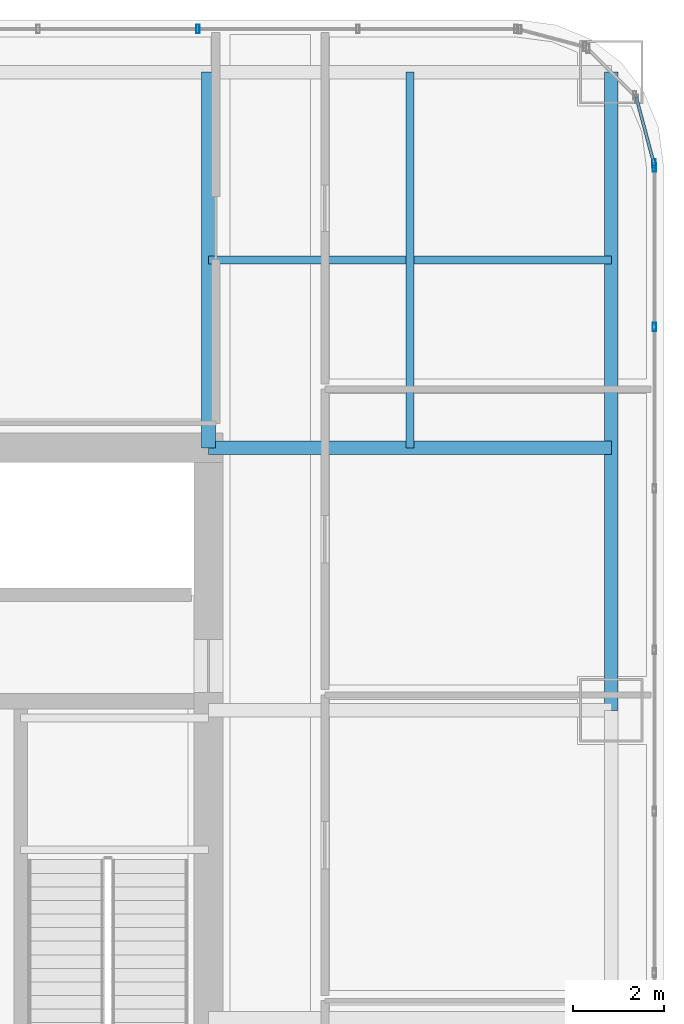
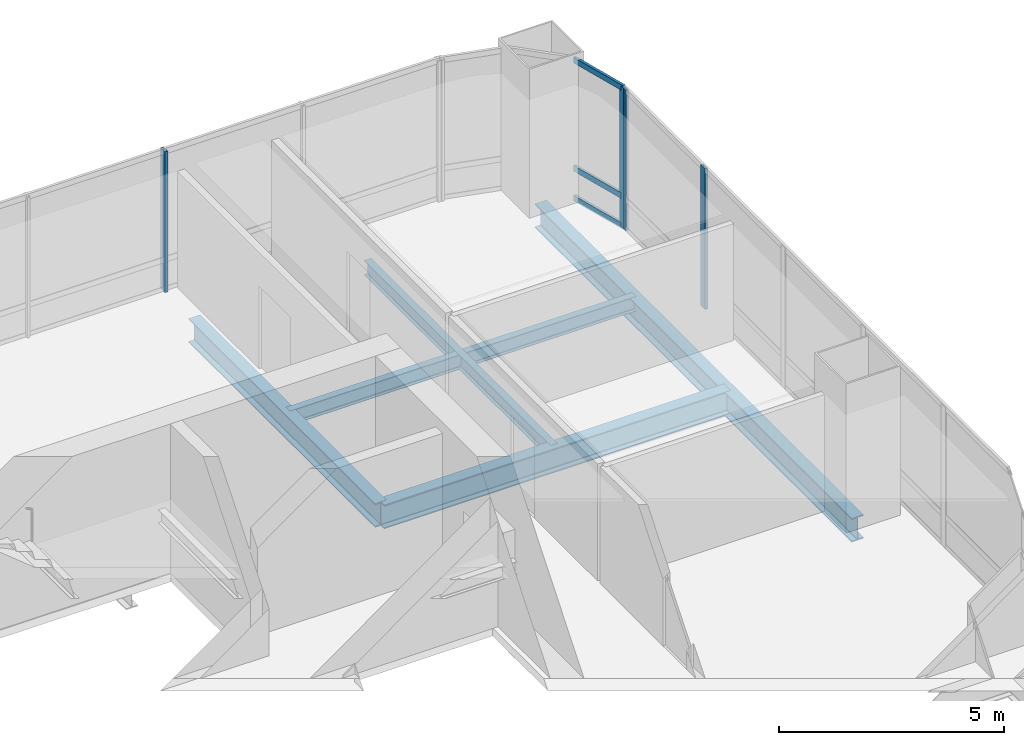
# One storey, part 25 of 37: 7 members, 5 beams, 3 elements without a shape of their own.
"""IFC4 building model written with IfcOpenShell, lengths in metres."""

from ifc_helpers import new_model, si_unit, direction, frame, origin, origin_2d, place, context, subcontext, project, spatial, hollow_rectangle, i_section, extrude, material, material_profile, profile_set, type_object, element, aggregate, save


model = new_model("IFC4")

# Units and contexts
model_context = context("Model", 3, precision=1e-05, world=origin(), true_north=direction((0.0, 1.0)))
body_context = subcontext(model_context, "Body", "Model", "MODEL_VIEW")
ifc_project = project(units=[si_unit("LENGTHUNIT", "METRE"), si_unit("AREAUNIT", "SQUARE_METRE"), si_unit("VOLUMEUNIT", "CUBIC_METRE"), si_unit("PLANEANGLEUNIT", "RADIAN"), si_unit("MASSUNIT", "GRAM", prefix="KILO")], contexts=[model_context])

# Site, building, storey
site_placement = place(None, origin())
site = spatial("IfcSite", under=ifc_project, at=site_placement, CompositionType="ELEMENT")
building_placement = place(site_placement, origin())
building = spatial("IfcBuilding", under=site, at=building_placement, Name="Punatoya Terracotta Tower", CompositionType="ELEMENT")
storey_placement = place(building_placement, frame((0.0, 0.0, 192.449951171875)))
storey = spatial("IfcBuildingStorey", under=building, at=storey_placement, Name="L45", CompositionType="ELEMENT", Elevation=192.449951171875)

# Beams
ifc_material_1 = material(Name="Steel S355", Category="steel")
ifc_material_profile_1 = material_profile(ifc_material_1, i_section(OverallWidth=0.300048828125, OverallDepth=0.64990234375, WebThickness=0.01611328125, FlangeThickness=0.031005859375, FilletRadius=0.01806640625, at=origin_2d()))
ifc_profile_set_1 = profile_set([ifc_material_profile_1], Name="Steel S355")
beam_type_1 = type_object("IfcBeamType", Name="BM-PRI-650", PredefinedType="BEAM", material=ifc_profile_set_1)
beam_1_placement = place(storey_placement, frame((19.10009765625, 3.39990234375, -0.544921875), z_axis=(0.0, 1.0, 0.0), x_axis=(-1.0, 0.0, 0.0)))
element("IfcBeam", 1, at=beam_1_placement, inside=storey, type_object=beam_type_1, Name="BM-L45-RG-E3", PredefinedType="BEAM", context=body_context, shape_type="SweptSolid", body=[
    extrude(i_section(OverallWidth=0.300048828125, OverallDepth=0.64990234375, WebThickness=0.01611328125, FlangeThickness=0.031005859375, FilletRadius=0.01806640625, at=origin_2d()), origin(), (0.0, 0.0, 1.0), 14.10009765625),
])
beam_2_placement = place(storey_placement, frame((10.199951171875, 9.199951171875, -0.544921875), z_axis=(1.0, 0.0, 0.0), x_axis=(0.0, 1.0, 0.0)))
element("IfcBeam", 2, at=beam_2_placement, inside=storey, type_object=beam_type_1, Name="BM-L45-PR-EN", PredefinedType="BEAM", context=body_context, shape_type="SweptSolid", body=[
    extrude(i_section(OverallWidth=0.300048828125, OverallDepth=0.64990234375, WebThickness=0.01611328125, FlangeThickness=0.031005859375, FilletRadius=0.01806640625, at=origin_2d()), origin(), (0.0, 0.0, 1.0), 8.900146484375),
])
beam_3_placement = place(storey_placement, frame((10.199951171875, 9.199951171875, -0.544921875), z_axis=(0.0, 1.0, 0.0), x_axis=(-1.0, 0.0, 0.0)))
element("IfcBeam", 3, at=beam_3_placement, inside=storey, type_object=beam_type_1, Name="BM-L45-PR-N4", PredefinedType="BEAM", context=body_context, shape_type="SweptSolid", body=[
    extrude(i_section(OverallWidth=0.300048828125, OverallDepth=0.64990234375, WebThickness=0.01611328125, FlangeThickness=0.031005859375, FilletRadius=0.01806640625, at=origin_2d()), origin(), (0.0, 0.0, 1.0), 8.300048828125),
])
ifc_material_profile_2 = material_profile(ifc_material_1, i_section(OverallWidth=0.179931640625, OverallDepth=0.39990234375, WebThickness=0.008544921875, FlangeThickness=0.013427734375, FilletRadius=0.01806640625, at=origin_2d()))
ifc_profile_set_2 = profile_set([ifc_material_profile_2], Name="Steel S355")
beam_type_2 = type_object("IfcBeamType", Name="BM-SEC-400", PredefinedType="JOIST", material=ifc_profile_set_2)
beam_4_placement = place(storey_placement, frame((10.199951171875, 13.35009765625, -0.419921875), z_axis=(1.0, 0.0, 0.0), x_axis=(0.0, 1.0, 0.0)))
element("IfcBeam", 4, at=beam_4_placement, inside=storey, type_object=beam_type_2, Name="BM-L45-SJN-2", PredefinedType="JOIST", context=body_context, shape_type="SweptSolid", body=[
    extrude(i_section(OverallWidth=0.179931640625, OverallDepth=0.39990234375, WebThickness=0.008544921875, FlangeThickness=0.013427734375, FilletRadius=0.01806640625, at=origin_2d()), origin(), (0.0, 0.0, 1.0), 8.900146484375),
])
beam_5_placement = place(storey_placement, frame((14.64990234375, 9.199951171875, -0.419921875), z_axis=(0.0, 1.0, 0.0), x_axis=(-1.0, 0.0, 0.0)))
element("IfcBeam", 5, at=beam_5_placement, inside=storey, type_object=beam_type_2, Name="BM-L45-SJE-2", PredefinedType="JOIST", context=body_context, shape_type="SweptSolid", body=[
    extrude(i_section(OverallWidth=0.179931640625, OverallDepth=0.39990234375, WebThickness=0.008544921875, FlangeThickness=0.013427734375, FilletRadius=0.01806640625, at=origin_2d()), origin(), (0.0, 0.0, 1.0), 8.300048828125),
])

# Curtain wall, members
ifc_material_2 = material(Name="Aluminium 6063-T6 + Double Low-E Glass", Category="aluminium")
curtain_wall_type = type_object("IfcCurtainWallType", Name="CW-M2", PredefinedType="NOTDEFINED", material=ifc_material_2)
curtain_wall_1_placement = place(storey_placement, origin())
curtain_wall_1 = element("IfcCurtainWall", 6, at=curtain_wall_1_placement, inside=storey, type_object=curtain_wall_type, Name="L45 Curtain Wall CW-L45-E05-1", PredefinedType="NOTDEFINED")
ifc_material_3 = material(Name="Aluminium 6063-T6", Category="aluminium")
ifc_material_profile_3 = material_profile(ifc_material_3, hollow_rectangle(XDim=0.072021484375, YDim=0.195068359375, WallThickness=0.00439453125, at=origin_2d()))
ifc_profile_set_3 = profile_set([ifc_material_profile_3], Name="Aluminium 6063-T6")
member_type_1 = type_object("IfcMemberType", Name="CW-MUL-M2", PredefinedType="MULLION", material=ifc_profile_set_3)
member_1_placement = place(storey_placement, frame((20.050048828125, 11.869384765625, 0.0), z_axis=(0.0, 0.0, 1.0), x_axis=(1.0, 0.0, 0.0)))
member_1 = element("IfcMember", 7, at=member_1_placement, type_object=member_type_1, Name="CW-L45-E05-1 Mullion 09", PredefinedType="MULLION", context=body_context, shape_type="SweptSolid", body=[
    extrude(hollow_rectangle(XDim=0.072021484375, YDim=0.195068359375, WallThickness=0.00439453125, at=origin_2d()), origin(), (0.0, 0.0, 1.0), 3.830078125),
])
member_2_placement = place(storey_placement, frame((20.050048828125, 15.391845703125, 0.0), z_axis=(0.0, 0.0, 1.0), x_axis=(1.0, 0.0, 0.0)))
member_2 = element("IfcMember", 8, at=member_2_placement, type_object=member_type_1, Name="CW-L45-E05-1 Mullion 10", PredefinedType="MULLION", context=body_context, shape_type="SweptSolid", body=[
    extrude(hollow_rectangle(XDim=0.072021484375, YDim=0.195068359375, WallThickness=0.00439453125, at=origin_2d()), origin(), (0.0, 0.0, 1.0), 3.830078125),
])
aggregate(curtain_wall_1, [member_1, member_2])

# Curtain wall, member
curtain_wall_2_placement = place(storey_placement, origin())
curtain_wall_2 = element("IfcCurtainWall", 9, at=curtain_wall_2_placement, inside=storey, type_object=curtain_wall_type, Name="L45 Curtain Wall CW-L45-CRN06", PredefinedType="NOTDEFINED")
member_3_placement = place(storey_placement, frame((20.038330078125, 15.48046875, 0.0), z_axis=(0.0, 0.0, 1.0), x_axis=(1.0, 0.0, 0.0)))
member_3 = element("IfcMember", 10, at=member_3_placement, type_object=member_type_1, Name="CW-L45-CRN06 Mullion 00", PredefinedType="MULLION", context=body_context, shape_type="SweptSolid", body=[
    extrude(hollow_rectangle(XDim=0.072021484375, YDim=0.195068359375, WallThickness=0.00439453125, at=origin_2d()), origin(), (0.0, 0.0, 1.0), 3.830078125),
])

curtain_wall_3_placement = place(storey_placement, origin())
curtain_wall_3 = element("IfcCurtainWall", 11, at=curtain_wall_3_placement, inside=storey, type_object=curtain_wall_type, Name="L45 Curtain Wall CW-L45-N09-1", PredefinedType="NOTDEFINED")
member_4_placement = place(storey_placement, frame((9.968994140625, 18.449951171875, 0.0), z_axis=(0.0, 0.0, 1.0), x_axis=(1.0, 0.0, 0.0)))
member_4 = element("IfcMember", 12, at=member_4_placement, type_object=member_type_1, Name="CW-L45-N09-1 Mullion 02", PredefinedType="MULLION", context=body_context, shape_type="SweptSolid", body=[
    extrude(hollow_rectangle(XDim=0.072021484375, YDim=0.195068359375, WallThickness=0.00439453125, at=origin_2d()), origin(), (0.0, 0.0, 1.0), 3.830078125),
])
aggregate(curtain_wall_3, [member_4])

# Member
ifc_material_profile_4 = material_profile(ifc_material_3, hollow_rectangle(XDim=0.068115234375, YDim=0.14990234375, WallThickness=0.00390625, at=origin_2d()))
ifc_profile_set_4 = profile_set([ifc_material_profile_4], Name="Aluminium 6063-T6")
member_type_2 = type_object("IfcMemberType", Name="CW-TRN-TYP", PredefinedType="USERDEFINED", material=ifc_profile_set_4)
member_5_placement = place(storey_placement, frame((20.050048828125, 15.43701171875, 0.0400390625), z_axis=(-0.257847112249, 0.966185730957, 0.0), x_axis=(-0.966185730957, -0.257847112249, 0.0)))
member_5 = element("IfcMember", 13, at=member_5_placement, type_object=member_type_2, Name="CW-L45-CRN06 Transom 1", ObjectType="TRANSOM", PredefinedType="USERDEFINED", context=body_context, shape_type="SweptSolid", body=[
    extrude(hollow_rectangle(XDim=0.068115234375, YDim=0.14990234375, WallThickness=0.00390625, at=origin_2d()), origin(), (0.0, 0.0, 1.0), 1.565185546875),
])

member_6_placement = place(storey_placement, frame((20.050048828125, 15.43701171875, 0.85009765625), z_axis=(-0.257847112249, 0.966185730957, 0.0), x_axis=(-0.966185730957, -0.257847112249, 0.0)))
member_6 = element("IfcMember", 14, at=member_6_placement, type_object=member_type_2, Name="CW-L45-CRN06 Transom 2", ObjectType="TRANSOM", PredefinedType="USERDEFINED", context=body_context, shape_type="SweptSolid", body=[
    extrude(hollow_rectangle(XDim=0.068115234375, YDim=0.14990234375, WallThickness=0.00390625, at=origin_2d()), origin(), (0.0, 0.0, 1.0), 1.565185546875),
])

member_7_placement = place(storey_placement, frame((20.050048828125, 15.43701171875, 3.7900390625), z_axis=(-0.257847112249, 0.966185730957, 0.0), x_axis=(-0.966185730957, -0.257847112249, 0.0)))
member_7 = element("IfcMember", 15, at=member_7_placement, type_object=member_type_2, Name="CW-L45-CRN06 Transom 3", ObjectType="TRANSOM", PredefinedType="USERDEFINED", context=body_context, shape_type="SweptSolid", body=[
    extrude(hollow_rectangle(XDim=0.068115234375, YDim=0.14990234375, WallThickness=0.00390625, at=origin_2d()), origin(), (0.0, 0.0, 1.0), 1.565185546875),
])

aggregate(curtain_wall_2, [member_3, member_5, member_6, member_7])

save(model, "model.ifc")
